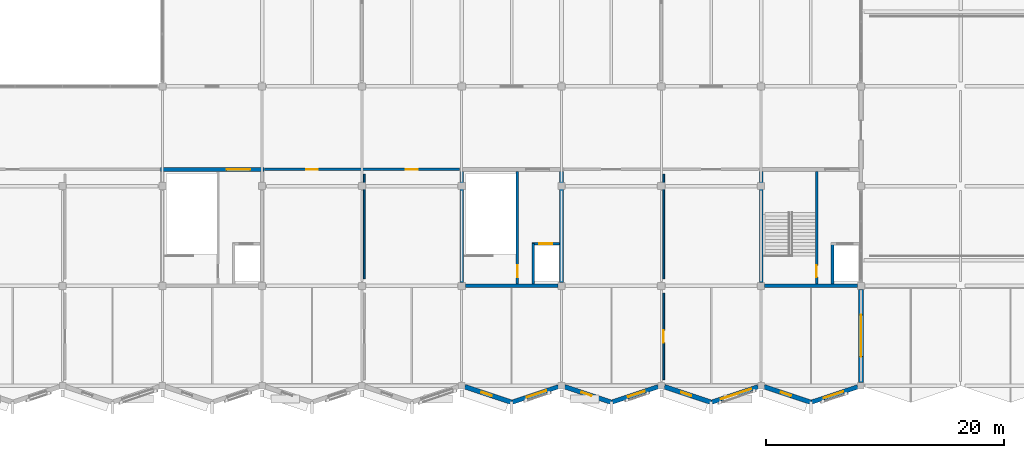
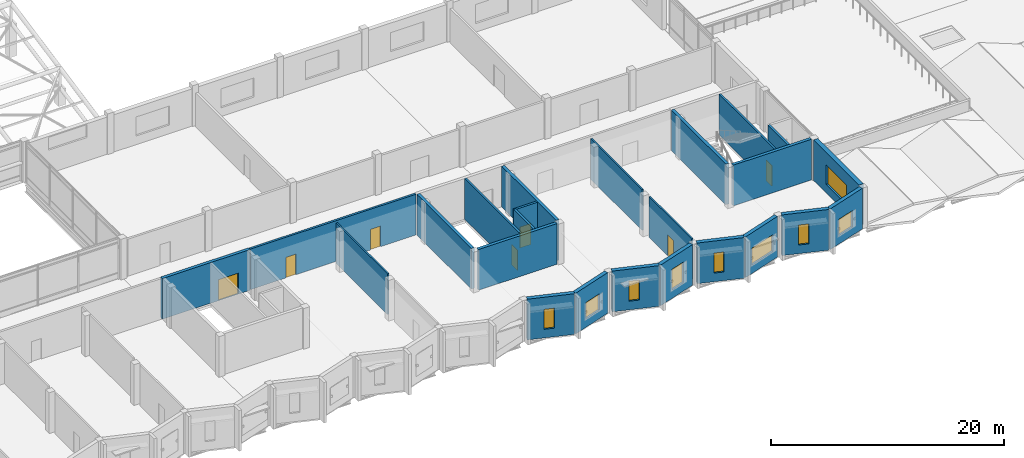
# One storey, part 76 of 81: 24 walls, 9 windows, 7 doors, 16 openings.
"""IFC4 building model written with IfcOpenShell, lengths in metres."""

from ifc_helpers import new_model, si_unit, direction, frame, frame_2d, origin, place, context, subcontext, project, spatial, rectangle, extrude, material, layer, layer_set, type_object, element, fill, save


model = new_model("IFC4")

# Units and contexts
model_context = context("Model", 3, precision=1e-05, world=origin(), true_north=direction((0.0, 1.0)))
body_context = subcontext(model_context, "Body", "Model", "MODEL_VIEW")
ifc_project = project(units=[si_unit("LENGTHUNIT", "METRE"), si_unit("AREAUNIT", "SQUARE_METRE"), si_unit("VOLUMEUNIT", "CUBIC_METRE"), si_unit("PLANEANGLEUNIT", "RADIAN"), si_unit("MASSUNIT", "GRAM", prefix="KILO")], contexts=[model_context])

# Site, building, storey
site_placement = place(None, origin())
site = spatial("IfcSite", under=ifc_project, at=site_placement, CompositionType="ELEMENT")
building_placement = place(site_placement, origin())
building = spatial("IfcBuilding", under=site, at=building_placement, Name="Qawsi Khor Wholesale Market", CompositionType="ELEMENT")
storey_placement = place(building_placement, frame((0.0, 0.0, 16.199951171875)))
storey = spatial("IfcBuildingStorey", under=building, at=storey_placement, Name="L03", CompositionType="ELEMENT", Elevation=16.199951171875)

# Wall, opening, door
ifc_material_1 = material(Name="Concrete C40/50", Category="concrete")
ifc_layer_1 = layer(ifc_material_1, 0.300048828125, Name="Concrete C40/50")
ifc_layer_set_1 = layer_set([ifc_layer_1], Name="Concrete C40/50")
wall_type_1 = type_object("IfcWallType", Name="Core Shear Wall RC 300 C40/50", PredefinedType="SHEAR", material=ifc_layer_set_1)
wall_1_placement = place(storey_placement, frame((67.050048828125, 18.199951171875, 0.0), z_axis=(0.0, 0.0, 1.0), x_axis=(1.0, 0.0, 0.0)))
wall_1 = element("IfcWall", 1, at=wall_1_placement, inside=storey, type_object=wall_type_1, Name="Core C02 north shear wall L03", PredefinedType="SHEAR", context=body_context, shape_type="SweptSolid", body=[
    extrude(rectangle(XDim=8.699951171875, YDim=0.300048828125, at=frame_2d((4.35009765625, 0.0))), origin(), (0.0, 0.0, 1.0), 4.260009765625),
])
opening_1_placement = place(wall_1_placement, frame((5.570068359375, 0.0, 0.0)))
opening_1 = element("IfcOpeningElement", 2, at=opening_1_placement, cuts=wall_1, Name="Opening ID-01", PredefinedType="OPENING", context=body_context, shape_type="SweptSolid", body=[
    extrude(rectangle(XDim=1.9599609375, YDim=2.199951171875, at=frame_2d((0.97998046875, 1.10009765625))), frame((0.0, 0.159912109375, 0.0), z_axis=(0.0, -1.0, 0.0), x_axis=(1.0, 0.0, 0.0)), (0.0, 0.0, 1.0), 0.320068359375),
])
ifc_material_2 = material(Name="Steel Fire Door", Category="steel")
door_type_1 = type_object("IfcDoorType", Name="Stair & Core Fire Door 1960x2200 FD90S", OperationType="NOTDEFINED", PredefinedType="DOOR", material=ifc_material_2)
door_1_placement = place(opening_1_placement, origin())
door_1 = element("IfcDoor", 3, at=door_1_placement, inside=storey, type_object=door_type_1, Name="Core C02 fire door L03", OperationType="DOUBLE_DOOR_SINGLE_SWING", OverallHeight=2.199951171875, OverallWidth=1.9599609375, PredefinedType="DOOR", context=body_context, shape_type="SweptSolid", body=[
    extrude(rectangle(XDim=1.9599609375, YDim=2.199951171875, at=frame_2d((0.97998046875, 1.10009765625))), frame((0.0, 0.02490234375, 0.0), z_axis=(0.0, -1.0, 0.0), x_axis=(1.0, 0.0, 0.0)), (0.0, 0.0, 1.0), 0.050048828125),
])
fill(opening_1, door_1)

# Walls
wall_2_placement = place(storey_placement, frame((100.4951171875, 8.39990234375, 0.0), z_axis=(0.0, 0.0, 1.0), x_axis=(-1.0, 0.0, 0.0)))
element("IfcWall", 4, at=wall_2_placement, inside=storey, type_object=wall_type_1, Name="Core C03 south shear wall L03", PredefinedType="SHEAR", context=body_context, shape_type="SweptSolid", body=[
    extrude(rectangle(XDim=7.7900390625, YDim=0.300048828125, at=frame_2d((3.89501953125, 0.0))), origin(), (0.0, 0.0, 1.0), 4.260009765625),
])
for number, where, z_axis, x_axis, name in (
    (5, (92.39990234375, 8.705078125, 0.0), (0.0, 0.0, 1.0), (0.0, 1.0, 0.0), "Core C03 west shear wall L03"),
    (6, (100.800048828125, 18.050048828125, 0.0), (0.0, 0.0, 1.0), (0.0, -1.0, 0.0), "Core C03 east shear wall L03"),
):
    element("IfcWall", number, at=place(storey_placement, frame(where, z_axis=z_axis, x_axis=x_axis)), inside=storey, type_object=wall_type_1, Name=name, PredefinedType="SHEAR", context=body_context, shape_type="SweptSolid", body=[
        extrude(rectangle(XDim=9.344970703125, YDim=0.300048828125, at=frame_2d((4.67236328125, 0.0))), origin(), (0.0, 0.0, 1.0), 4.260009765625),
    ])
wall_3_placement = place(storey_placement, frame((125.695068359375, 8.39990234375, 0.0), z_axis=(0.0, 0.0, 1.0), x_axis=(-1.0, 0.0, 0.0)))
element("IfcWall", 7, at=wall_3_placement, inside=storey, type_object=wall_type_1, Name="Core C04 south shear wall L03", PredefinedType="SHEAR", context=body_context, shape_type="SweptSolid", body=[
    extrude(rectangle(XDim=7.7900390625, YDim=0.300048828125, at=frame_2d((3.89501953125, 0.0))), origin(), (0.0, 0.0, 1.0), 4.260009765625),
])
wall_4_placement = place(storey_placement, frame((117.60009765625, 8.705078125, 0.0), z_axis=(0.0, 0.0, 1.0), x_axis=(0.0, 1.0, 0.0)))
element("IfcWall", 8, at=wall_4_placement, inside=storey, type_object=wall_type_1, Name="Core C04 west shear wall L03", PredefinedType="SHEAR", context=body_context, shape_type="SweptSolid", body=[
    extrude(rectangle(XDim=9.344970703125, YDim=0.300048828125, at=frame_2d((4.67236328125, 0.0))), origin(), (0.0, 0.0, 1.0), 4.260009765625),
])

# Wall, openings, doors
ifc_material_3 = material(Name="Gypsum Fireboard on Steel Stud", Category="steel")
ifc_layer_2 = layer(ifc_material_3, 0.2099609375, Name="Gypsum Fireboard on Steel Stud")
ifc_layer_set_2 = layer_set([ifc_layer_2], Name="Gypsum Fireboard on Steel Stud")
wall_type_2 = type_object("IfcWallType", Name="Corridor Fire Partition Wall 210", PredefinedType="PARTITIONING", material=ifc_layer_set_2)
wall_5_placement = place(storey_placement, frame((75.800048828125, 18.199951171875, 0.0), z_axis=(0.0, 0.0, 1.0), x_axis=(1.0, 0.0, 0.0)))
wall_5 = element("IfcWall", 9, at=wall_5_placement, inside=storey, type_object=wall_type_2, Name="PW-L03-106", PredefinedType="PARTITIONING", context=body_context, shape_type="SweptSolid", body=[
    extrude(rectangle(XDim=16.39990234375, YDim=0.2099609375, at=frame_2d((8.199951171875, 0.0))), origin(), (0.0, 0.0, 1.0), 4.260009765625),
])
opening_2_placement = place(wall_5_placement, frame((3.5, 0.0, 0.0)))
opening_2 = element("IfcOpeningElement", 10, at=opening_2_placement, cuts=wall_5, Name="Opening ID-06", PredefinedType="OPENING", context=body_context, shape_type="SweptSolid", body=[
    extrude(rectangle(XDim=1.0, YDim=2.14990234375, at=frame_2d((0.5, 1.074951171875))), frame((0.0, 0.114990234375, 0.0), z_axis=(0.0, -1.0, 0.0), x_axis=(1.0, 0.0, 0.0)), (0.0, 0.0, 1.0), 0.22998046875),
])
opening_3_placement = place(wall_5_placement, frame((11.89990234375, 0.0, 0.0)))
opening_3 = element("IfcOpeningElement", 11, at=opening_3_placement, cuts=wall_5, Name="Opening ID-06", PredefinedType="OPENING", context=body_context, shape_type="SweptSolid", body=[
    extrude(rectangle(XDim=1.0, YDim=2.14990234375, at=frame_2d((0.5, 1.074951171875))), frame((0.0, 0.114990234375, 0.0), z_axis=(0.0, -1.0, 0.0), x_axis=(1.0, 0.0, 0.0)), (0.0, 0.0, 1.0), 0.22998046875),
])
ifc_material_4 = material(Name="Hardwood Timber Veneer", Category="wood")
door_type_2 = type_object("IfcDoorType", Name="Traders Office Single Door 1000x2150", OperationType="NOTDEFINED", PredefinedType="DOOR", material=ifc_material_4)
door_2_placement = place(opening_2_placement, origin())
door_2 = element("IfcDoor", 12, at=door_2_placement, inside=storey, type_object=door_type_2, Name="Traders Office Single Door 1000x2150 L03-114", OperationType="SINGLE_SWING_LEFT", OverallHeight=2.14990234375, OverallWidth=1.0, PredefinedType="DOOR", context=body_context, shape_type="SweptSolid", body=[
    extrude(rectangle(XDim=1.0, YDim=2.14990234375, at=frame_2d((0.5, 1.074951171875))), frame((0.0, 0.02490234375, 0.0), z_axis=(0.0, -1.0, 0.0), x_axis=(1.0, 0.0, 0.0)), (0.0, 0.0, 1.0), 0.050048828125),
])
fill(opening_2, door_2)
door_3_placement = place(opening_3_placement, origin())
door_3 = element("IfcDoor", 13, at=door_3_placement, inside=storey, type_object=door_type_2, Name="Traders Office Single Door 1000x2150 L03-115", OperationType="SINGLE_SWING_RIGHT", OverallHeight=2.14990234375, OverallWidth=1.0, PredefinedType="DOOR", context=body_context, shape_type="SweptSolid", body=[
    extrude(rectangle(XDim=1.0, YDim=2.14990234375, at=frame_2d((0.5, 1.074951171875))), frame((0.0, 0.02490234375, 0.0), z_axis=(0.0, -1.0, 0.0), x_axis=(1.0, 0.0, 0.0)), (0.0, 0.0, 1.0), 0.050048828125),
])
fill(opening_3, door_3)

# Wall
ifc_layer_3 = layer(ifc_material_1, 0.219970703125, Name="Concrete C40/50")
ifc_layer_set_3 = layer_set([ifc_layer_3], Name="Concrete C40/50")
wall_type_3 = type_object("IfcWallType", Name="Lift & Stair Shaft Wall RC 220", PredefinedType="SOLIDWALL", material=ifc_layer_set_3)
wall_6_placement = place(storey_placement, frame((98.409912109375, 8.56005859375, 0.0), z_axis=(0.0, 0.0, 1.0), x_axis=(0.0, 1.0, 0.0)))
element("IfcWall", 14, at=wall_6_placement, inside=storey, type_object=wall_type_3, Name="Lift PL-02 shaft wall W L03", PredefinedType="SOLIDWALL", context=body_context, shape_type="SweptSolid", body=[
    extrude(rectangle(XDim=3.389892578125, YDim=0.219970703125, at=frame_2d((1.69482421875, 0.0))), origin(), (0.0, 0.0, 1.0), 4.260009765625),
])

# Wall, opening, door
wall_7_placement = place(storey_placement, frame((98.300048828125, 11.949951171875, 0.0), z_axis=(0.0, 0.0, 1.0), x_axis=(1.0, 0.0, 0.0)))
wall_7 = element("IfcWall", 15, at=wall_7_placement, inside=storey, type_object=wall_type_3, Name="Lift PL-02 shaft wall N L03", PredefinedType="SOLIDWALL", context=body_context, shape_type="SweptSolid", body=[
    extrude(rectangle(XDim=2.33984375, YDim=0.219970703125, at=frame_2d((1.169921875, 0.0))), origin(), (0.0, 0.0, 1.0), 4.260009765625),
])
opening_4_placement = place(wall_7_placement, frame((0.6201171875, 0.0, 0.0)))
opening_4 = element("IfcOpeningElement", 16, at=opening_4_placement, cuts=wall_7, Name="Opening LD-P110", PredefinedType="OPENING", context=body_context, shape_type="SweptSolid", body=[
    extrude(rectangle(XDim=1.10009765625, YDim=2.199951171875, at=frame_2d((0.550048828125, 1.10009765625))), frame((0.0, 0.119873046875, 0.0), z_axis=(0.0, -1.0, 0.0), x_axis=(1.0, 0.0, 0.0)), (0.0, 0.0, 1.0), 0.239990234375),
])
ifc_material_5 = material(Name="Brushed Stainless Steel", Category="steel")
door_type_3 = type_object("IfcDoorType", Name="Passenger Lift Landing Sliding Door 1100x2200 FD90S", OperationType="NOTDEFINED", PredefinedType="DOOR", material=ifc_material_5)
door_4_placement = place(opening_4_placement, origin())
door_4 = element("IfcDoor", 17, at=door_4_placement, inside=storey, type_object=door_type_3, Name="Lift PL-02 landing door L03", OperationType="SLIDING_TO_RIGHT", OverallHeight=2.199951171875, OverallWidth=1.10009765625, PredefinedType="DOOR", context=body_context, shape_type="SweptSolid", body=[
    extrude(rectangle(XDim=1.10009765625, YDim=2.199951171875, at=frame_2d((0.550048828125, 1.10009765625))), frame((0.0, 0.02490234375, 0.0), z_axis=(0.0, -1.0, 0.0), x_axis=(1.0, 0.0, 0.0)), (0.0, 0.0, 1.0), 0.050048828125),
])
fill(opening_4, door_4)

# Walls
wall_8_placement = place(storey_placement, frame((123.610107421875, 8.56005859375, 0.0), z_axis=(0.0, 0.0, 1.0), x_axis=(0.0, 1.0, 0.0)))
element("IfcWall", 18, at=wall_8_placement, inside=storey, type_object=wall_type_3, Name="Lift FF-02 shaft wall W L03", PredefinedType="SOLIDWALL", context=body_context, shape_type="SweptSolid", body=[
    extrude(rectangle(XDim=3.389892578125, YDim=0.219970703125, at=frame_2d((1.69482421875, 0.0))), origin(), (0.0, 0.0, 1.0), 4.260009765625),
])
ifc_material_6 = material(Name="Gypsum Board on Metal Stud", Category="gypsum")
ifc_layer_4 = layer(ifc_material_6, 0.14990234375, Name="Gypsum Board on Metal Stud")
ifc_layer_set_4 = layer_set([ifc_layer_4], Name="Gypsum Board on Metal Stud")
wall_type_4 = type_object("IfcWallType", Name="Office Partition Wall 150", PredefinedType="PARTITIONING", material=ifc_layer_set_4)
wall_9_placement = place(storey_placement, frame((84.199951171875, 9.0, 0.0), z_axis=(0.0, 0.0, 1.0), x_axis=(0.0, 1.0, 0.0)))
element("IfcWall", 19, at=wall_9_placement, inside=storey, type_object=wall_type_4, Name="PW-L03-108", PredefinedType="PARTITIONING", context=body_context, shape_type="SweptSolid", body=[
    extrude(rectangle(XDim=8.800048828125, YDim=0.14990234375, at=frame_2d((4.39990234375, 0.0))), origin(), (0.0, 0.0, 1.0), 4.260009765625),
])

# Wall, opening, door
wall_10_placement = place(storey_placement, frame((109.39990234375, 0.5, 0.0), z_axis=(0.0, 0.0, 1.0), x_axis=(0.0, 1.0, 0.0)))
wall_10 = element("IfcWall", 20, at=wall_10_placement, inside=storey, type_object=wall_type_4, Name="PW-L03-110", PredefinedType="PARTITIONING", context=body_context, shape_type="SweptSolid", body=[
    extrude(rectangle(XDim=7.300048828125, YDim=0.14990234375, at=frame_2d((3.64990234375, 0.0))), origin(), (0.0, 0.0, 1.0), 4.260009765625),
])
opening_5_placement = place(wall_10_placement, frame((3.10009765625, 0.0, 0.0)))
opening_5 = element("IfcOpeningElement", 21, at=opening_5_placement, cuts=wall_10, Name="Opening ID-07", PredefinedType="OPENING", context=body_context, shape_type="SweptSolid", body=[
    extrude(rectangle(XDim=1.06005859375, YDim=2.179931640625, at=frame_2d((0.530029296875, 1.08984375))), frame((0.0, 0.0849609375, 0.0), z_axis=(0.0, -1.0, 0.0), x_axis=(1.0, 0.0, 0.0)), (0.0, 0.0, 1.0), 0.169921875),
])
door_type_4 = type_object("IfcDoorType", Name="Clearinghouse Suite Door 1060x2180", OperationType="NOTDEFINED", PredefinedType="DOOR", material=ifc_material_4)
door_5_placement = place(opening_5_placement, origin())
door_5 = element("IfcDoor", 22, at=door_5_placement, inside=storey, type_object=door_type_4, Name="Clearinghouse Suite Door 1060x2180 L03-119", OperationType="SINGLE_SWING_RIGHT", OverallHeight=2.179931640625, OverallWidth=1.06005859375, PredefinedType="DOOR", context=body_context, shape_type="SweptSolid", body=[
    extrude(rectangle(XDim=1.06005859375, YDim=2.179931640625, at=frame_2d((0.530029296875, 1.08984375))), frame((0.0, 0.02490234375, 0.0), z_axis=(0.0, -1.0, 0.0), x_axis=(1.0, 0.0, 0.0)), (0.0, 0.0, 1.0), 0.050048828125),
])
fill(opening_5, door_5)

# Wall
wall_11_placement = place(storey_placement, frame((109.39990234375, 9.0, 0.0), z_axis=(0.0, 0.0, 1.0), x_axis=(0.0, 1.0, 0.0)))
element("IfcWall", 23, at=wall_11_placement, inside=storey, type_object=wall_type_4, Name="PW-L03-111", PredefinedType="PARTITIONING", context=body_context, shape_type="SweptSolid", body=[
    extrude(rectangle(XDim=8.800048828125, YDim=0.14990234375, at=frame_2d((4.39990234375, 0.0))), origin(), (0.0, 0.0, 1.0), 4.260009765625),
])

# Wall, opening, window
ifc_layer_5 = layer(ifc_material_1, 0.429931640625, Name="Concrete C40/50")
ifc_layer_set_5 = layer_set([ifc_layer_5], Name="Concrete C40/50")
wall_type_5 = type_object("IfcWallType", Name="Sculpted Ribbed Concrete Facade Wall 430", PredefinedType="SOLIDWALL", material=ifc_layer_set_5)
wall_12_placement = place(storey_placement, frame((126.0, 8.094970703125, 0.0), z_axis=(0.0, 0.0, 1.0), x_axis=(0.0, -1.0, 0.0)))
wall_12 = element("IfcWall", 24, at=wall_12_placement, inside=storey, type_object=wall_type_5, Name="EW-L03-TER-0", PredefinedType="SOLIDWALL", context=body_context, shape_type="SweptSolid", body=[
    extrude(rectangle(XDim=7.81494140625, YDim=0.429931640625, at=frame_2d((3.907470703125, 0.0))), origin(), (0.0, 0.0, 1.0), 4.260009765625),
])
opening_6_placement = place(wall_12_placement, frame((2.14501953125, 0.0, 0.89990234375)))
opening_6 = element("IfcOpeningElement", 25, at=opening_6_placement, cuts=wall_12, Name="Opening W-18", PredefinedType="OPENING", context=body_context, shape_type="SweptSolid", body=[
    extrude(rectangle(XDim=3.5, YDim=2.050048828125, at=frame_2d((1.75, 1.02490234375))), frame((0.0, 0.224853515625, 0.0), z_axis=(0.0, -1.0, 0.0), x_axis=(1.0, 0.0, 0.0)), (0.0, 0.0, 1.0), 0.449951171875),
])
ifc_material_7 = material(Name="Thermally Broken Aluminium & Low-E Glass", Category="aluminium")
window_type_1 = type_object("IfcWindowType", Name="Win W-18 Boardroom Panoramic 3500x2050", PartitioningType="SINGLE_PANEL", PredefinedType="WINDOW", material=ifc_material_7)
window_1_placement = place(opening_6_placement, origin())
window_1 = element("IfcWindow", 26, at=window_1_placement, inside=storey, type_object=window_type_1, Name="Win W-18 Boardroom Panoramic 3500x2050 131", OverallHeight=2.050048828125, OverallWidth=3.5, PartitioningType="SINGLE_PANEL", PredefinedType="WINDOW", context=body_context, shape_type="SweptSolid", body=[
    extrude(rectangle(XDim=3.5, YDim=2.050048828125, at=frame_2d((1.75, 1.02490234375))), frame((0.0, 0.030029296875, 0.0), z_axis=(0.0, -1.0, 0.0), x_axis=(1.0, 0.0, 0.0)), (0.0, 0.0, 1.0), 0.06005859375),
])
fill(opening_6, window_1)

# Wall, opening, door
ifc_layer_6 = layer(ifc_material_1, 0.18994140625, Name="Concrete C40/50")
ifc_layer_set_6 = layer_set([ifc_layer_6], Name="Concrete C40/50")
wall_type_6 = type_object("IfcWallType", Name="Stairwell Enclosure Wall RC 190", PredefinedType="SOLIDWALL", material=ifc_layer_set_6)
wall_13_placement = place(storey_placement, frame((97.080078125, 8.56005859375, 0.0), z_axis=(0.0, 0.0, 1.0), x_axis=(0.0, 1.0, 0.0)))
wall_13 = element("IfcWall", 27, at=wall_13_placement, inside=storey, type_object=wall_type_6, Name="Core C03 stairwell enclosure wall L03", PredefinedType="SOLIDWALL", context=body_context, shape_type="SweptSolid", body=[
    extrude(rectangle(XDim=9.47998046875, YDim=0.18994140625, at=frame_2d((4.739990234375, 0.0))), origin(), (0.0, 0.0, 1.0), 4.260009765625),
])
opening_7_placement = place(wall_13_placement, frame((0.580078125, 0.0, 0.0)))
opening_7 = element("IfcOpeningElement", 28, at=opening_7_placement, cuts=wall_13, Name="Opening ID-17", PredefinedType="OPENING", context=body_context, shape_type="SweptSolid", body=[
    extrude(rectangle(XDim=0.97998046875, YDim=2.14990234375, at=frame_2d((0.489990234375, 1.074951171875))), frame((0.0, 0.10498046875, 0.0), z_axis=(0.0, -1.0, 0.0), x_axis=(1.0, 0.0, 0.0)), (0.0, 0.0, 1.0), 0.2099609375),
])
door_type_5 = type_object("IfcDoorType", Name="Core Stair Lobby Fire Door 980x2150 FD120S", OperationType="NOTDEFINED", PredefinedType="DOOR", material=ifc_material_2)
door_6_placement = place(opening_7_placement, origin())
door_6 = element("IfcDoor", 29, at=door_6_placement, inside=storey, type_object=door_type_5, Name="Core C03 stair enclosure fire door L03", OperationType="SINGLE_SWING_LEFT", OverallHeight=2.14990234375, OverallWidth=0.97998046875, PredefinedType="DOOR", context=body_context, shape_type="SweptSolid", body=[
    extrude(rectangle(XDim=0.97998046875, YDim=2.14990234375, at=frame_2d((0.489990234375, 1.074951171875))), frame((0.0, 0.02490234375, 0.0), z_axis=(0.0, -1.0, 0.0), x_axis=(1.0, 0.0, 0.0)), (0.0, 0.0, 1.0), 0.050048828125),
])
fill(opening_7, door_6)

wall_14_placement = place(storey_placement, frame((122.280029296875, 8.56005859375, 0.0), z_axis=(0.0, 0.0, 1.0), x_axis=(0.0, 1.0, 0.0)))
wall_14 = element("IfcWall", 30, at=wall_14_placement, inside=storey, type_object=wall_type_6, Name="Core C04 stairwell enclosure wall L03", PredefinedType="SOLIDWALL", context=body_context, shape_type="SweptSolid", body=[
    extrude(rectangle(XDim=9.47998046875, YDim=0.18994140625, at=frame_2d((4.739990234375, 0.0))), origin(), (0.0, 0.0, 1.0), 4.260009765625),
])
opening_8_placement = place(wall_14_placement, frame((0.580078125, 0.0, 0.0)))
opening_8 = element("IfcOpeningElement", 31, at=opening_8_placement, cuts=wall_14, Name="Opening ID-17", PredefinedType="OPENING", context=body_context, shape_type="SweptSolid", body=[
    extrude(rectangle(XDim=0.97998046875, YDim=2.14990234375, at=frame_2d((0.489990234375, 1.074951171875))), frame((0.0, 0.10498046875, 0.0), z_axis=(0.0, -1.0, 0.0), x_axis=(1.0, 0.0, 0.0)), (0.0, 0.0, 1.0), 0.2099609375),
])
door_7_placement = place(opening_8_placement, origin())
door_7 = element("IfcDoor", 32, at=door_7_placement, inside=storey, type_object=door_type_5, Name="Core C04 stair enclosure fire door L03", OperationType="SINGLE_SWING_LEFT", OverallHeight=2.14990234375, OverallWidth=0.97998046875, PredefinedType="DOOR", context=body_context, shape_type="SweptSolid", body=[
    extrude(rectangle(XDim=0.97998046875, YDim=2.14990234375, at=frame_2d((0.489990234375, 1.074951171875))), frame((0.0, 0.02490234375, 0.0), z_axis=(0.0, -1.0, 0.0), x_axis=(1.0, 0.0, 0.0)), (0.0, 0.0, 1.0), 0.050048828125),
])
fill(opening_8, door_7)

# Wall, opening, window
ifc_layer_7 = layer(ifc_material_1, 0.3701171875, Name="Concrete C40/50")
ifc_layer_set_7 = layer_set([ifc_layer_7], Name="Concrete C40/50")
wall_type_7 = type_object("IfcWallType", Name="Turned-Bay Concrete Facade Wall 370", PredefinedType="SOLIDWALL", material=ifc_layer_set_7)
wall_15_placement = place(storey_placement, frame((100.534423828125, -0.08837890625, 0.0), z_axis=(0.0, 0.0, 1.0), x_axis=(-0.948677410965, -0.316245426727, 0.0)))
wall_15 = element("IfcWall", 33, at=wall_15_placement, inside=storey, type_object=wall_type_7, Name="EW-L03-SBAY-18", PredefinedType="SOLIDWALL", context=body_context, shape_type="SweptSolid", body=[
    extrude(rectangle(XDim=4.147216796875, YDim=0.3701171875, at=frame_2d((2.07373046875, 0.0))), origin(), (0.0, 0.0, 1.0), 4.260009765625),
])
opening_9_placement = place(wall_15_placement, frame((1.072998046875, 0.0, 0.89990234375)))
opening_9 = element("IfcOpeningElement", 34, at=opening_9_placement, cuts=wall_15, Name="Opening W-23", PredefinedType="OPENING", context=body_context, shape_type="SweptSolid", body=[
    extrude(rectangle(XDim=1.719970703125, YDim=1.699951171875, at=frame_2d((0.85986328125, 0.85009765625))), frame((0.0, 0.195068359375, 0.0), z_axis=(0.0, -1.0, 0.0), x_axis=(1.0, 0.0, 0.0)), (0.0, 0.0, 1.0), 0.39013671875),
])
window_type_2 = type_object("IfcWindowType", Name="Win W-23 East Office Punched 1720x1700", PartitioningType="SINGLE_PANEL", PredefinedType="WINDOW", material=ifc_material_7)
window_2_placement = place(opening_9_placement, origin())
window_2 = element("IfcWindow", 35, at=window_2_placement, inside=storey, type_object=window_type_2, Name="Win W-23 East Office Punched 1720x1700 098", OverallHeight=1.699951171875, OverallWidth=1.719970703125, PartitioningType="SINGLE_PANEL", PredefinedType="WINDOW", context=body_context, shape_type="SweptSolid", body=[
    extrude(rectangle(XDim=1.719970703125, YDim=1.699951171875, at=frame_2d((0.85986328125, 0.85009765625))), frame((0.0, 0.030029296875, 0.0), z_axis=(0.0, -1.0, 0.0), x_axis=(1.0, 0.0, 0.0)), (0.0, 0.0, 1.0), 0.06005859375),
])
fill(opening_9, window_2)

wall_16_placement = place(storey_placement, frame((108.934326171875, -0.08837890625, 0.0), z_axis=(0.0, 0.0, 1.0), x_axis=(-0.948677410965, -0.316245426727, 0.0)))
wall_16 = element("IfcWall", 36, at=wall_16_placement, inside=storey, type_object=wall_type_7, Name="EW-L03-SBAY-20", PredefinedType="SOLIDWALL", context=body_context, shape_type="SweptSolid", body=[
    extrude(rectangle(XDim=4.147216796875, YDim=0.3701171875, at=frame_2d((2.07373046875, 0.0))), origin(), (0.0, 0.0, 1.0), 4.260009765625),
])
opening_10_placement = place(wall_16_placement, frame((1.18310546875, 0.0, 0.89990234375)))
opening_10 = element("IfcOpeningElement", 37, at=opening_10_placement, cuts=wall_16, Name="Opening W-04", PredefinedType="OPENING", context=body_context, shape_type="SweptSolid", body=[
    extrude(rectangle(XDim=1.5, YDim=2.14990234375, at=frame_2d((0.75, 1.074951171875))), frame((0.0, 0.195068359375, 0.0), z_axis=(0.0, -1.0, 0.0), x_axis=(1.0, 0.0, 0.0)), (0.0, 0.0, 1.0), 0.39013671875),
])
window_type_3 = type_object("IfcWindowType", Name="Win W-04 Turned-Bay Wide 1500x2150", PartitioningType="SINGLE_PANEL", PredefinedType="WINDOW", material=ifc_material_7)
window_3_placement = place(opening_10_placement, origin())
window_3 = element("IfcWindow", 38, at=window_3_placement, inside=storey, type_object=window_type_3, Name="Win W-04 Turned-Bay Wide 1500x2150 100", OverallHeight=2.14990234375, OverallWidth=1.5, PartitioningType="SINGLE_PANEL", PredefinedType="WINDOW", context=body_context, shape_type="SweptSolid", body=[
    extrude(rectangle(XDim=1.5, YDim=2.14990234375, at=frame_2d((0.75, 1.074951171875))), frame((0.0, 0.030029296875, 0.0), z_axis=(0.0, -1.0, 0.0), x_axis=(1.0, 0.0, 0.0)), (0.0, 0.0, 1.0), 0.06005859375),
])
fill(opening_10, window_3)

wall_17_placement = place(storey_placement, frame((117.33447265625, -0.08837890625, 0.0), z_axis=(0.0, 0.0, 1.0), x_axis=(-0.948683298051, -0.316227766017, 0.0)))
wall_17 = element("IfcWall", 39, at=wall_17_placement, inside=storey, type_object=wall_type_7, Name="EW-L03-SBAY-22", PredefinedType="SOLIDWALL", context=body_context, shape_type="SweptSolid", body=[
    extrude(rectangle(XDim=4.1474609375, YDim=0.3701171875, at=frame_2d((2.07373046875, 0.0))), origin(), (0.0, 0.0, 1.0), 4.260009765625),
])
opening_11_placement = place(wall_17_placement, frame((0.5830078125, 0.0, 0.89990234375)))
opening_11 = element("IfcOpeningElement", 40, at=opening_11_placement, cuts=wall_17, Name="Opening W-09", PredefinedType="OPENING", context=body_context, shape_type="SweptSolid", body=[
    extrude(rectangle(XDim=2.699951171875, YDim=1.75, at=frame_2d((1.35009765625, 0.875))), frame((0.0, 0.195068359375, 0.0), z_axis=(0.0, -1.0, 0.0), x_axis=(1.0, 0.0, 0.0)), (0.0, 0.0, 1.0), 0.39013671875),
])
window_type_4 = type_object("IfcWindowType", Name="Win W-09 Clearinghouse Wide 2700x1750", PartitioningType="SINGLE_PANEL", PredefinedType="WINDOW", material=ifc_material_7)
window_4_placement = place(opening_11_placement, origin())
window_4 = element("IfcWindow", 41, at=window_4_placement, inside=storey, type_object=window_type_4, Name="Win W-09 Clearinghouse Wide 2700x1750 102", OverallHeight=1.75, OverallWidth=2.699951171875, PartitioningType="SINGLE_PANEL", PredefinedType="WINDOW", context=body_context, shape_type="SweptSolid", body=[
    extrude(rectangle(XDim=2.699951171875, YDim=1.75, at=frame_2d((1.35009765625, 0.875))), frame((0.0, 0.030029296875, 0.0), z_axis=(0.0, -1.0, 0.0), x_axis=(1.0, 0.0, 0.0)), (0.0, 0.0, 1.0), 0.06005859375),
])
fill(opening_11, window_4)

wall_18_placement = place(storey_placement, frame((125.73779296875, -0.097900390625, 0.0), z_axis=(0.0, 0.0, 1.0), x_axis=(-0.949445775056, -0.313931075601, 0.0)))
wall_18 = element("IfcWall", 42, at=wall_18_placement, inside=storey, type_object=wall_type_7, Name="EW-L03-SBAY-24", PredefinedType="SOLIDWALL", context=body_context, shape_type="SweptSolid", body=[
    extrude(rectangle(XDim=4.1474609375, YDim=0.3701171875, at=frame_2d((2.07373046875, 0.0))), origin(), (0.0, 0.0, 1.0), 4.260009765625),
])
opening_12_placement = place(wall_18_placement, frame((1.285888671875, 0.0, 0.89990234375)))
opening_12 = element("IfcOpeningElement", 43, at=opening_12_placement, cuts=wall_18, Name="Opening W-23", PredefinedType="OPENING", context=body_context, shape_type="SweptSolid", body=[
    extrude(rectangle(XDim=1.719970703125, YDim=1.699951171875, at=frame_2d((0.85986328125, 0.85009765625))), frame((0.0, 0.195068359375, 0.0), z_axis=(0.0, -1.0, 0.0), x_axis=(1.0, 0.0, 0.0)), (0.0, 0.0, 1.0), 0.39013671875),
])
window_5_placement = place(opening_12_placement, origin())
window_5 = element("IfcWindow", 44, at=window_5_placement, inside=storey, type_object=window_type_2, Name="Win W-23 East Office Punched 1720x1700 104", OverallHeight=1.699951171875, OverallWidth=1.719970703125, PartitioningType="SINGLE_PANEL", PredefinedType="WINDOW", context=body_context, shape_type="SweptSolid", body=[
    extrude(rectangle(XDim=1.719970703125, YDim=1.699951171875, at=frame_2d((0.85986328125, 0.85009765625))), frame((0.0, 0.030029296875, 0.0), z_axis=(0.0, -1.0, 0.0), x_axis=(1.0, 0.0, 0.0)), (0.0, 0.0, 1.0), 0.06005859375),
])
fill(opening_12, window_5)

ifc_layer_8 = layer(ifc_material_1, 0.389892578125, Name="Concrete C40/50")
ifc_layer_set_8 = layer_set([ifc_layer_8], Name="Concrete C40/50")
wall_type_8 = type_object("IfcWallType", Name="Turned-Bay Concrete Facade Wall 390", PredefinedType="SOLIDWALL", material=ifc_layer_set_8)
wall_19_placement = place(storey_placement, frame((96.60009765625, -1.39990234375, 0.0), z_axis=(0.0, 0.0, 1.0), x_axis=(-0.948683298051, 0.316227766017, 0.0)))
wall_19 = element("IfcWall", 45, at=wall_19_placement, inside=storey, type_object=wall_type_8, Name="EW-L03-SBAY-17", PredefinedType="SOLIDWALL", context=body_context, shape_type="SweptSolid", body=[
    extrude(rectangle(XDim=4.1474609375, YDim=0.389892578125, at=frame_2d((2.07373046875, 0.0))), origin(), (0.0, 0.0, 1.0), 4.260009765625),
])
opening_13_placement = place(wall_19_placement, frame((1.762939453125, 0.0, 0.89990234375)))
opening_13 = element("IfcOpeningElement", 46, at=opening_13_placement, cuts=wall_19, Name="Opening W-02", PredefinedType="OPENING", context=body_context, shape_type="SweptSolid", body=[
    extrude(rectangle(XDim=0.89990234375, YDim=2.10009765625, at=frame_2d((0.449951171875, 1.050048828125))), frame((0.0, 0.204833984375, 0.0), z_axis=(0.0, -1.0, 0.0), x_axis=(1.0, 0.0, 0.0)), (0.0, 0.0, 1.0), 0.409912109375),
])
window_type_5 = type_object("IfcWindowType", Name="Win W-02 Deep-Set Narrow 900x2100", PartitioningType="SINGLE_PANEL", PredefinedType="WINDOW", material=ifc_material_7)
window_6_placement = place(opening_13_placement, origin())
window_6 = element("IfcWindow", 47, at=window_6_placement, inside=storey, type_object=window_type_5, Name="Win W-02 Deep-Set Narrow 900x2100 097", OverallHeight=2.10009765625, OverallWidth=0.89990234375, PartitioningType="SINGLE_PANEL", PredefinedType="WINDOW", context=body_context, shape_type="SweptSolid", body=[
    extrude(rectangle(XDim=0.89990234375, YDim=2.10009765625, at=frame_2d((0.449951171875, 1.050048828125))), frame((0.0, 0.030029296875, 0.0), z_axis=(0.0, -1.0, 0.0), x_axis=(1.0, 0.0, 0.0)), (0.0, 0.0, 1.0), 0.06005859375),
])
fill(opening_13, window_6)

wall_20_placement = place(storey_placement, frame((105.0, -1.39990234375, 0.0), z_axis=(0.0, 0.0, 1.0), x_axis=(-0.948677410965, 0.316245426727, 0.0)))
wall_20 = element("IfcWall", 48, at=wall_20_placement, inside=storey, type_object=wall_type_8, Name="EW-L03-SBAY-19", PredefinedType="SOLIDWALL", context=body_context, shape_type="SweptSolid", body=[
    extrude(rectangle(XDim=4.147216796875, YDim=0.389892578125, at=frame_2d((2.07373046875, 0.0))), origin(), (0.0, 0.0, 1.0), 4.260009765625),
])
opening_14_placement = place(wall_20_placement, frame((1.762939453125, 0.0, 0.89990234375)))
opening_14 = element("IfcOpeningElement", 49, at=opening_14_placement, cuts=wall_20, Name="Opening W-02", PredefinedType="OPENING", context=body_context, shape_type="SweptSolid", body=[
    extrude(rectangle(XDim=0.89990234375, YDim=2.10009765625, at=frame_2d((0.449951171875, 1.050048828125))), frame((0.0, 0.204833984375, 0.0), z_axis=(0.0, -1.0, 0.0), x_axis=(1.0, 0.0, 0.0)), (0.0, 0.0, 1.0), 0.409912109375),
])
window_7_placement = place(opening_14_placement, origin())
window_7 = element("IfcWindow", 50, at=window_7_placement, inside=storey, type_object=window_type_5, Name="Win W-02 Deep-Set Narrow 900x2100 099", OverallHeight=2.10009765625, OverallWidth=0.89990234375, PartitioningType="SINGLE_PANEL", PredefinedType="WINDOW", context=body_context, shape_type="SweptSolid", body=[
    extrude(rectangle(XDim=0.89990234375, YDim=2.10009765625, at=frame_2d((0.449951171875, 1.050048828125))), frame((0.0, 0.030029296875, 0.0), z_axis=(0.0, -1.0, 0.0), x_axis=(1.0, 0.0, 0.0)), (0.0, 0.0, 1.0), 0.06005859375),
])
fill(opening_14, window_7)

wall_21_placement = place(storey_placement, frame((113.39990234375, -1.39990234375, 0.0), z_axis=(0.0, 0.0, 1.0), x_axis=(-0.948677410965, 0.316245426727, 0.0)))
wall_21 = element("IfcWall", 51, at=wall_21_placement, inside=storey, type_object=wall_type_8, Name="EW-L03-SBAY-21", PredefinedType="SOLIDWALL", context=body_context, shape_type="SweptSolid", body=[
    extrude(rectangle(XDim=4.147216796875, YDim=0.389892578125, at=frame_2d((2.07373046875, 0.0))), origin(), (0.0, 0.0, 1.0), 4.260009765625),
])
opening_15_placement = place(wall_21_placement, frame((1.762939453125, 0.0, 0.89990234375)))
opening_15 = element("IfcOpeningElement", 52, at=opening_15_placement, cuts=wall_21, Name="Opening W-02", PredefinedType="OPENING", context=body_context, shape_type="SweptSolid", body=[
    extrude(rectangle(XDim=0.89990234375, YDim=2.10009765625, at=frame_2d((0.449951171875, 1.050048828125))), frame((0.0, 0.204833984375, 0.0), z_axis=(0.0, -1.0, 0.0), x_axis=(1.0, 0.0, 0.0)), (0.0, 0.0, 1.0), 0.409912109375),
])
window_8_placement = place(opening_15_placement, origin())
window_8 = element("IfcWindow", 53, at=window_8_placement, inside=storey, type_object=window_type_5, Name="Win W-02 Deep-Set Narrow 900x2100 101", OverallHeight=2.10009765625, OverallWidth=0.89990234375, PartitioningType="SINGLE_PANEL", PredefinedType="WINDOW", context=body_context, shape_type="SweptSolid", body=[
    extrude(rectangle(XDim=0.89990234375, YDim=2.10009765625, at=frame_2d((0.449951171875, 1.050048828125))), frame((0.0, 0.030029296875, 0.0), z_axis=(0.0, -1.0, 0.0), x_axis=(1.0, 0.0, 0.0)), (0.0, 0.0, 1.0), 0.06005859375),
])
fill(opening_15, window_8)

wall_22_placement = place(storey_placement, frame((121.800048828125, -1.39990234375, 0.0), z_axis=(0.0, 0.0, 1.0), x_axis=(-0.948683298051, 0.316227766017, 0.0)))
wall_22 = element("IfcWall", 54, at=wall_22_placement, inside=storey, type_object=wall_type_8, Name="EW-L03-SBAY-23", PredefinedType="SOLIDWALL", context=body_context, shape_type="SweptSolid", body=[
    extrude(rectangle(XDim=4.1474609375, YDim=0.389892578125, at=frame_2d((2.07373046875, 0.0))), origin(), (0.0, 0.0, 1.0), 4.260009765625),
])
opening_16_placement = place(wall_22_placement, frame((1.762939453125, 0.0, 0.89990234375)))
opening_16 = element("IfcOpeningElement", 55, at=opening_16_placement, cuts=wall_22, Name="Opening W-02", PredefinedType="OPENING", context=body_context, shape_type="SweptSolid", body=[
    extrude(rectangle(XDim=0.89990234375, YDim=2.10009765625, at=frame_2d((0.449951171875, 1.050048828125))), frame((0.0, 0.204833984375, 0.0), z_axis=(0.0, -1.0, 0.0), x_axis=(1.0, 0.0, 0.0)), (0.0, 0.0, 1.0), 0.409912109375),
])
window_9_placement = place(opening_16_placement, origin())
window_9 = element("IfcWindow", 56, at=window_9_placement, inside=storey, type_object=window_type_5, Name="Win W-02 Deep-Set Narrow 900x2100 103", OverallHeight=2.10009765625, OverallWidth=0.89990234375, PartitioningType="SINGLE_PANEL", PredefinedType="WINDOW", context=body_context, shape_type="SweptSolid", body=[
    extrude(rectangle(XDim=0.89990234375, YDim=2.10009765625, at=frame_2d((0.449951171875, 1.050048828125))), frame((0.0, 0.030029296875, 0.0), z_axis=(0.0, -1.0, 0.0), x_axis=(1.0, 0.0, 0.0)), (0.0, 0.0, 1.0), 0.06005859375),
])
fill(opening_16, window_9)

save(model, "model.ifc")
